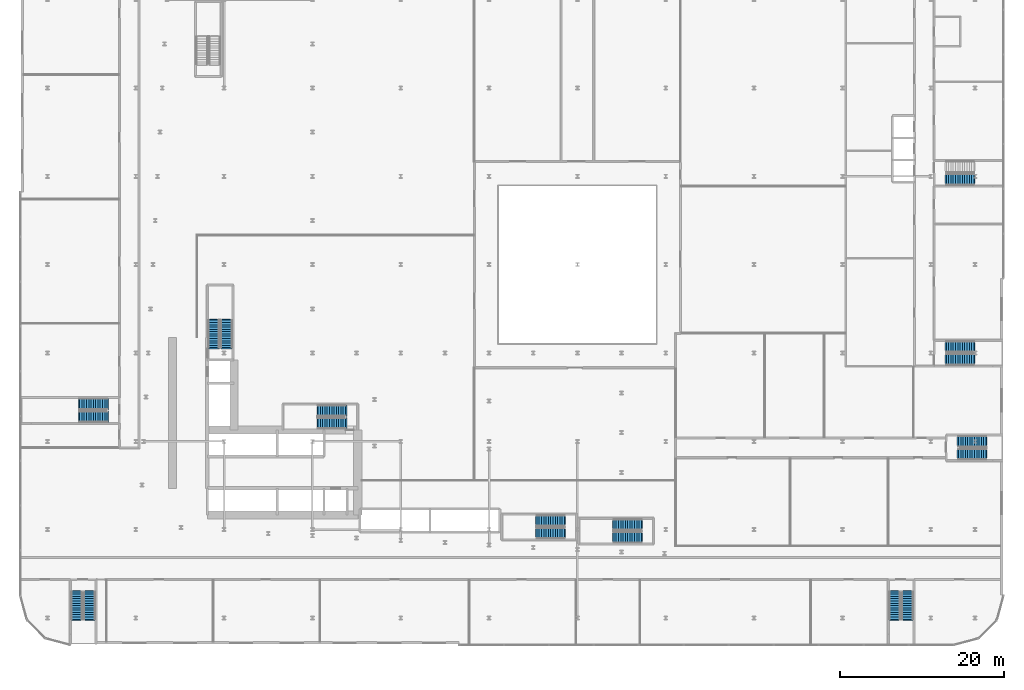
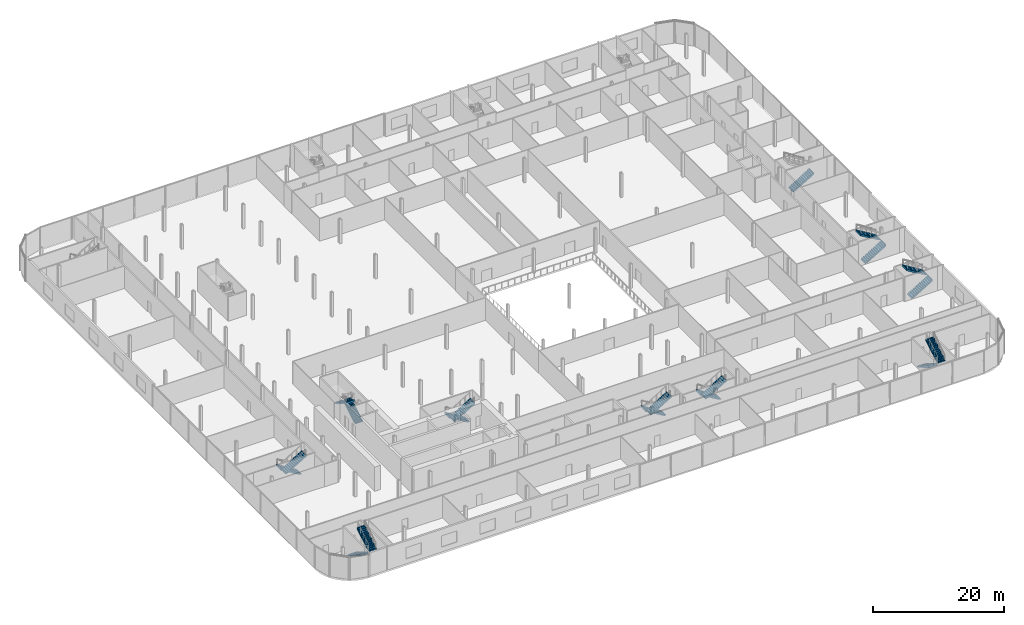
# One storey, part 37 of 47: 19 stair flights, 10 elements without a shape of their own.
"""IFC4 building model written with IfcOpenShell, lengths in metres."""

from ifc_helpers import new_model, si_unit, direction, frame, origin, place, context, subcontext, project, spatial, polyline, outline, extrude, material, layer, layer_set, type_object, element, aggregate, save


model = new_model("IFC4")

# Units and contexts
model_context = context("Model", 3, precision=1e-05, world=origin(), true_north=direction((0.0, 1.0)))
body_context = subcontext(model_context, "Body", "Model", "MODEL_VIEW")
ifc_project = project(units=[si_unit("LENGTHUNIT", "METRE"), si_unit("AREAUNIT", "SQUARE_METRE"), si_unit("VOLUMEUNIT", "CUBIC_METRE"), si_unit("PLANEANGLEUNIT", "RADIAN"), si_unit("MASSUNIT", "GRAM", prefix="KILO")], contexts=[model_context])

# Site, building, storey
site_placement = place(None, origin())
site = spatial("IfcSite", under=ifc_project, at=site_placement, CompositionType="ELEMENT")
building_placement = place(site_placement, origin())
building = spatial("IfcBuilding", under=site, at=building_placement, Name="Kheshtan School and Residences Tower", CompositionType="ELEMENT")
storey_placement = place(building_placement, frame((0.0, 0.0, 12.5)))
storey = spatial("IfcBuildingStorey", under=building, at=storey_placement, Name="L02", CompositionType="ELEMENT", Elevation=12.5)

# Stair, stair flights
ifc_material = material(Name="Concrete C40/50", Category="concrete")
stair_type = type_object("IfcStairType", Name="Exit stair, half-turn", PredefinedType="HALF_TURN_STAIR", material=ifc_material)
stair_1_placement = place(storey_placement, origin())
stair_1 = element("IfcStair", 1, at=stair_1_placement, inside=storey, type_object=stair_type, Name="L02 Protected Exit Stair ST1", PredefinedType="HALF_TURN_STAIR")
ifc_layer = layer(ifc_material, 0.14990234375)
ifc_layer_set = layer_set([ifc_layer], Name="Stair flight 1400 Concrete C40/50")
stair_flight_type = type_object("IfcStairFlightType", Name="Stair flight 1400 Concrete C40/50", PredefinedType="STRAIGHT", material=ifc_layer_set)
stair_flight_1_placement = place(storey_placement, frame((51.64990234375, 38.550048828125, 0.0), z_axis=(0.0, 0.0, 1.0), x_axis=(-1.0, 0.0, 0.0)))
stair_flight_1 = element("IfcStairFlight", 2, at=stair_flight_1_placement, type_object=stair_flight_type, Name="ST1 flight 1", NumberOfRisers=13, NumberOfTreads=12, PredefinedType="STRAIGHT", RiserHeight=0.173076923, TreadLength=0.28, context=body_context, shape_type="SweptSolid", body=[
    extrude(outline(polyline([(-0.14990234375, -0.10009765625), (-0.14990234375, 0.0), (0.0, 0.0), (0.0, 0.173095703125), (0.280029296875, 0.173095703125), (0.280029296875, 0.34619140625), (0.56005859375, 0.34619140625), (0.56005859375, 0.519287109375), (0.840087890625, 0.519287109375), (0.840087890625, 0.6923828125), (1.1201171875, 0.6923828125), (1.1201171875, 0.865478515625), (1.39990234375, 0.865478515625), (1.39990234375, 1.03857421875), (1.679931640625, 1.03857421875), (1.679931640625, 1.21142578125), (1.9599609375, 1.21142578125), (1.9599609375, 1.384521484375), (2.239990234375, 1.384521484375), (2.239990234375, 1.5576171875), (2.52001953125, 1.5576171875), (2.52001953125, 1.730712890625), (2.800048828125, 1.730712890625), (2.800048828125, 1.90380859375), (3.080078125, 1.90380859375), (3.080078125, 2.076904296875), (3.360107421875, 2.076904296875), (3.360107421875, 2.25), (3.360107421875, 2.27001953125), (3.510009765625, 2.27001953125), (3.510009765625, 1.900634765625), (0.28515625, 0.0), (-0.14990234375, -0.10009765625)])), frame((0.0, 0.699951171875, 0.0), z_axis=(0.0, -1.0, 0.0), x_axis=(1.0, 0.0, 0.0)), (0.0, 0.0, 1.0), 1.39990234375),
])
stair_flight_2_placement = place(storey_placement, frame((48.2900390625, 37.0, 2.25), z_axis=(0.0, 0.0, 1.0), x_axis=(1.0, 0.0, 0.0)))
stair_flight_2 = element("IfcStairFlight", 3, at=stair_flight_2_placement, type_object=stair_flight_type, Name="ST1 flight 2", NumberOfRisers=13, NumberOfTreads=12, PredefinedType="STRAIGHT", RiserHeight=0.173076923, TreadLength=0.28, context=body_context, shape_type="SweptSolid", body=[
    extrude(outline(polyline([(-0.14990234375, -0.10009765625), (-0.14990234375, 0.0), (0.0, 0.0), (0.0, 0.173095703125), (0.280029296875, 0.173095703125), (0.280029296875, 0.34619140625), (0.56005859375, 0.34619140625), (0.56005859375, 0.519287109375), (0.840087890625, 0.519287109375), (0.840087890625, 0.6923828125), (1.1201171875, 0.6923828125), (1.1201171875, 0.865478515625), (1.39990234375, 0.865478515625), (1.39990234375, 1.03857421875), (1.679931640625, 1.03857421875), (1.679931640625, 1.21142578125), (1.9599609375, 1.21142578125), (1.9599609375, 1.384521484375), (2.239990234375, 1.384521484375), (2.239990234375, 1.5576171875), (2.52001953125, 1.5576171875), (2.52001953125, 1.730712890625), (2.800048828125, 1.730712890625), (2.800048828125, 1.90380859375), (3.080078125, 1.90380859375), (3.080078125, 2.076904296875), (3.360107421875, 2.076904296875), (3.360107421875, 2.25), (3.360107421875, 2.27001953125), (3.510009765625, 2.27001953125), (3.510009765625, 1.900634765625), (0.28515625, 0.0), (-0.14990234375, -0.10009765625)])), frame((0.0, 0.699951171875, 0.0), z_axis=(0.0, -1.0, 0.0), x_axis=(1.0, 0.0, 0.0)), (0.0, 0.0, 1.0), 1.39990234375),
])
aggregate(stair_1, [stair_flight_1, stair_flight_2])

stair_2_placement = place(storey_placement, origin())
stair_2 = element("IfcStair", 4, at=stair_2_placement, inside=storey, type_object=stair_type, Name="L02 Protected Exit Stair ST2", PredefinedType="HALF_TURN_STAIR")
stair_flight_3_placement = place(storey_placement, frame((37.10009765625, 46.25, 0.0), z_axis=(0.0, 0.0, 1.0), x_axis=(0.0, 1.0, 0.0)))
stair_flight_3 = element("IfcStairFlight", 5, at=stair_flight_3_placement, type_object=stair_flight_type, Name="ST2 flight 1", NumberOfRisers=13, NumberOfTreads=12, PredefinedType="STRAIGHT", RiserHeight=0.173076923, TreadLength=0.28, context=body_context, shape_type="SweptSolid", body=[
    extrude(outline(polyline([(-0.14990234375, -0.10009765625), (-0.14990234375, 0.0), (0.0, 0.0), (0.0, 0.173095703125), (0.280029296875, 0.173095703125), (0.280029296875, 0.34619140625), (0.56005859375, 0.34619140625), (0.56005859375, 0.519287109375), (0.840087890625, 0.519287109375), (0.840087890625, 0.6923828125), (1.1201171875, 0.6923828125), (1.1201171875, 0.865478515625), (1.39990234375, 0.865478515625), (1.39990234375, 1.03857421875), (1.679931640625, 1.03857421875), (1.679931640625, 1.21142578125), (1.9599609375, 1.21142578125), (1.9599609375, 1.384521484375), (2.239990234375, 1.384521484375), (2.239990234375, 1.5576171875), (2.52001953125, 1.5576171875), (2.52001953125, 1.730712890625), (2.800048828125, 1.730712890625), (2.800048828125, 1.90380859375), (3.080078125, 1.90380859375), (3.080078125, 2.076904296875), (3.360107421875, 2.076904296875), (3.360107421875, 2.25), (3.360107421875, 2.27001953125), (3.510009765625, 2.27001953125), (3.510009765625, 1.900634765625), (0.28515625, 0.0), (-0.14990234375, -0.10009765625)])), frame((0.0, 0.699951171875, 0.0), z_axis=(0.0, -1.0, 0.0), x_axis=(1.0, 0.0, 0.0)), (0.0, 0.0, 1.0), 1.39990234375),
])
stair_flight_4_placement = place(storey_placement, frame((35.550048828125, 49.610107421875, 2.25), z_axis=(0.0, 0.0, 1.0), x_axis=(0.0, -1.0, 0.0)))
stair_flight_4 = element("IfcStairFlight", 6, at=stair_flight_4_placement, type_object=stair_flight_type, Name="ST2 flight 2", NumberOfRisers=13, NumberOfTreads=12, PredefinedType="STRAIGHT", RiserHeight=0.173076923, TreadLength=0.28, context=body_context, shape_type="SweptSolid", body=[
    extrude(outline(polyline([(-0.14990234375, -0.10009765625), (-0.14990234375, 0.0), (0.0, 0.0), (0.0, 0.173095703125), (0.280029296875, 0.173095703125), (0.280029296875, 0.34619140625), (0.56005859375, 0.34619140625), (0.56005859375, 0.519287109375), (0.840087890625, 0.519287109375), (0.840087890625, 0.6923828125), (1.1201171875, 0.6923828125), (1.1201171875, 0.865478515625), (1.39990234375, 0.865478515625), (1.39990234375, 1.03857421875), (1.679931640625, 1.03857421875), (1.679931640625, 1.21142578125), (1.9599609375, 1.21142578125), (1.9599609375, 1.384521484375), (2.239990234375, 1.384521484375), (2.239990234375, 1.5576171875), (2.52001953125, 1.5576171875), (2.52001953125, 1.730712890625), (2.800048828125, 1.730712890625), (2.800048828125, 1.90380859375), (3.080078125, 1.90380859375), (3.080078125, 2.076904296875), (3.360107421875, 2.076904296875), (3.360107421875, 2.25), (3.360107421875, 2.27001953125), (3.510009765625, 2.27001953125), (3.510009765625, 1.900634765625), (0.28515625, 0.0), (-0.14990234375, -0.10009765625)])), frame((0.0, 0.699951171875, 0.0), z_axis=(0.0, -1.0, 0.0), x_axis=(1.0, 0.0, 0.0)), (0.0, 0.0, 1.0), 1.39990234375),
])
aggregate(stair_2, [stair_flight_3, stair_flight_4])

stair_3_placement = place(storey_placement, origin())
stair_3 = element("IfcStair", 7, at=stair_3_placement, inside=storey, type_object=stair_type, Name="L02 Protected Exit Stair ST4", PredefinedType="HALF_TURN_STAIR")
stair_flight_5_placement = place(storey_placement, frame((87.820068359375, 24.60009765625, 0.0), z_axis=(0.0, 0.0, 1.0), x_axis=(-1.0, 0.0, 0.0)))
stair_flight_5 = element("IfcStairFlight", 8, at=stair_flight_5_placement, type_object=stair_flight_type, Name="ST4 flight 1", NumberOfRisers=13, NumberOfTreads=12, PredefinedType="STRAIGHT", RiserHeight=0.173076923, TreadLength=0.28, context=body_context, shape_type="SweptSolid", body=[
    extrude(outline(polyline([(-0.14990234375, -0.10009765625), (-0.14990234375, 0.0), (0.0, 0.0), (0.0, 0.173095703125), (0.280029296875, 0.173095703125), (0.280029296875, 0.34619140625), (0.56005859375, 0.34619140625), (0.56005859375, 0.519287109375), (0.840087890625, 0.519287109375), (0.840087890625, 0.6923828125), (1.1201171875, 0.6923828125), (1.1201171875, 0.865478515625), (1.39990234375, 0.865478515625), (1.39990234375, 1.03857421875), (1.679931640625, 1.03857421875), (1.679931640625, 1.21142578125), (1.9599609375, 1.21142578125), (1.9599609375, 1.384521484375), (2.239990234375, 1.384521484375), (2.239990234375, 1.5576171875), (2.52001953125, 1.5576171875), (2.52001953125, 1.730712890625), (2.800048828125, 1.730712890625), (2.800048828125, 1.90380859375), (3.080078125, 1.90380859375), (3.080078125, 2.076904296875), (3.360107421875, 2.076904296875), (3.360107421875, 2.25), (3.360107421875, 2.27001953125), (3.510009765625, 2.27001953125), (3.510009765625, 1.900634765625), (0.28515625, 0.0), (-0.14990234375, -0.10009765625)])), frame((0.0, 0.699951171875, 0.0), z_axis=(0.0, -1.0, 0.0), x_axis=(1.0, 0.0, 0.0)), (0.0, 0.0, 1.0), 1.39990234375),
])
stair_flight_6_placement = place(storey_placement, frame((84.4599609375, 23.050048828125, 2.25), z_axis=(0.0, 0.0, 1.0), x_axis=(1.0, 0.0, 0.0)))
stair_flight_6 = element("IfcStairFlight", 9, at=stair_flight_6_placement, type_object=stair_flight_type, Name="ST4 flight 2", NumberOfRisers=13, NumberOfTreads=12, PredefinedType="STRAIGHT", RiserHeight=0.173076923, TreadLength=0.28, context=body_context, shape_type="SweptSolid", body=[
    extrude(outline(polyline([(-0.14990234375, -0.10009765625), (-0.14990234375, 0.0), (0.0, 0.0), (0.0, 0.173095703125), (0.280029296875, 0.173095703125), (0.280029296875, 0.34619140625), (0.56005859375, 0.34619140625), (0.56005859375, 0.519287109375), (0.840087890625, 0.519287109375), (0.840087890625, 0.6923828125), (1.1201171875, 0.6923828125), (1.1201171875, 0.865478515625), (1.39990234375, 0.865478515625), (1.39990234375, 1.03857421875), (1.679931640625, 1.03857421875), (1.679931640625, 1.21142578125), (1.9599609375, 1.21142578125), (1.9599609375, 1.384521484375), (2.239990234375, 1.384521484375), (2.239990234375, 1.5576171875), (2.52001953125, 1.5576171875), (2.52001953125, 1.730712890625), (2.800048828125, 1.730712890625), (2.800048828125, 1.90380859375), (3.080078125, 1.90380859375), (3.080078125, 2.076904296875), (3.360107421875, 2.076904296875), (3.360107421875, 2.25), (3.360107421875, 2.27001953125), (3.510009765625, 2.27001953125), (3.510009765625, 1.900634765625), (0.28515625, 0.0), (-0.14990234375, -0.10009765625)])), frame((0.0, 0.699951171875, 0.0), z_axis=(0.0, -1.0, 0.0), x_axis=(1.0, 0.0, 0.0)), (0.0, 0.0, 1.0), 1.39990234375),
])
aggregate(stair_3, [stair_flight_5, stair_flight_6])

stair_4_placement = place(storey_placement, origin())
stair_4 = element("IfcStair", 10, at=stair_4_placement, inside=storey, type_object=stair_type, Name="L02 Protected Exit Stair ST5", PredefinedType="HALF_TURN_STAIR")
stair_flight_7_placement = place(storey_placement, frame((78.409912109375, 25.10009765625, 0.0), z_axis=(0.0, 0.0, 1.0), x_axis=(-1.0, 0.0, 0.0)))
stair_flight_7 = element("IfcStairFlight", 11, at=stair_flight_7_placement, type_object=stair_flight_type, Name="ST5 flight 1", NumberOfRisers=13, NumberOfTreads=12, PredefinedType="STRAIGHT", RiserHeight=0.173076923, TreadLength=0.28, context=body_context, shape_type="SweptSolid", body=[
    extrude(outline(polyline([(-0.14990234375, -0.10009765625), (-0.14990234375, 0.0), (0.0, 0.0), (0.0, 0.173095703125), (0.280029296875, 0.173095703125), (0.280029296875, 0.34619140625), (0.56005859375, 0.34619140625), (0.56005859375, 0.519287109375), (0.840087890625, 0.519287109375), (0.840087890625, 0.6923828125), (1.1201171875, 0.6923828125), (1.1201171875, 0.865478515625), (1.39990234375, 0.865478515625), (1.39990234375, 1.03857421875), (1.679931640625, 1.03857421875), (1.679931640625, 1.21142578125), (1.9599609375, 1.21142578125), (1.9599609375, 1.384521484375), (2.239990234375, 1.384521484375), (2.239990234375, 1.5576171875), (2.52001953125, 1.5576171875), (2.52001953125, 1.730712890625), (2.800048828125, 1.730712890625), (2.800048828125, 1.90380859375), (3.080078125, 1.90380859375), (3.080078125, 2.076904296875), (3.360107421875, 2.076904296875), (3.360107421875, 2.25), (3.360107421875, 2.27001953125), (3.510009765625, 2.27001953125), (3.510009765625, 1.900634765625), (0.28515625, 0.0), (-0.14990234375, -0.10009765625)])), frame((0.0, 0.699951171875, 0.0), z_axis=(0.0, -1.0, 0.0), x_axis=(1.0, 0.0, 0.0)), (0.0, 0.0, 1.0), 1.39990234375),
])
stair_flight_8_placement = place(storey_placement, frame((75.050048828125, 23.550048828125, 2.25), z_axis=(0.0, 0.0, 1.0), x_axis=(1.0, 0.0, 0.0)))
stair_flight_8 = element("IfcStairFlight", 12, at=stair_flight_8_placement, type_object=stair_flight_type, Name="ST5 flight 2", NumberOfRisers=13, NumberOfTreads=12, PredefinedType="STRAIGHT", RiserHeight=0.173076923, TreadLength=0.28, context=body_context, shape_type="SweptSolid", body=[
    extrude(outline(polyline([(-0.14990234375, -0.10009765625), (-0.14990234375, 0.0), (0.0, 0.0), (0.0, 0.173095703125), (0.280029296875, 0.173095703125), (0.280029296875, 0.34619140625), (0.56005859375, 0.34619140625), (0.56005859375, 0.519287109375), (0.840087890625, 0.519287109375), (0.840087890625, 0.6923828125), (1.1201171875, 0.6923828125), (1.1201171875, 0.865478515625), (1.39990234375, 0.865478515625), (1.39990234375, 1.03857421875), (1.679931640625, 1.03857421875), (1.679931640625, 1.21142578125), (1.9599609375, 1.21142578125), (1.9599609375, 1.384521484375), (2.239990234375, 1.384521484375), (2.239990234375, 1.5576171875), (2.52001953125, 1.5576171875), (2.52001953125, 1.730712890625), (2.800048828125, 1.730712890625), (2.800048828125, 1.90380859375), (3.080078125, 1.90380859375), (3.080078125, 2.076904296875), (3.360107421875, 2.076904296875), (3.360107421875, 2.25), (3.360107421875, 2.27001953125), (3.510009765625, 2.27001953125), (3.510009765625, 1.900634765625), (0.28515625, 0.0), (-0.14990234375, -0.10009765625)])), frame((0.0, 0.699951171875, 0.0), z_axis=(0.0, -1.0, 0.0), x_axis=(1.0, 0.0, 0.0)), (0.0, 0.0, 1.0), 1.39990234375),
])
aggregate(stair_4, [stair_flight_7, stair_flight_8])

stair_5_placement = place(storey_placement, origin())
stair_5 = element("IfcStair", 13, at=stair_5_placement, inside=storey, type_object=stair_type, Name="L02 Civic Exit Stair 012-037", PredefinedType="HALF_TURN_STAIR")
stair_flight_9_placement = place(storey_placement, frame((22.5, 39.35009765625, 0.0), z_axis=(0.0, 0.0, 1.0), x_axis=(-1.0, 0.0, 0.0)))
stair_flight_9 = element("IfcStairFlight", 14, at=stair_flight_9_placement, type_object=stair_flight_type, Name="PS-012-037 flight 1", NumberOfRisers=13, NumberOfTreads=12, PredefinedType="STRAIGHT", RiserHeight=0.173076923, TreadLength=0.28, context=body_context, shape_type="SweptSolid", body=[
    extrude(outline(polyline([(-0.14990234375, -0.10009765625), (-0.14990234375, 0.0), (0.0, 0.0), (0.0, 0.173095703125), (0.280029296875, 0.173095703125), (0.280029296875, 0.34619140625), (0.56005859375, 0.34619140625), (0.56005859375, 0.519287109375), (0.840087890625, 0.519287109375), (0.840087890625, 0.6923828125), (1.1201171875, 0.6923828125), (1.1201171875, 0.865478515625), (1.39990234375, 0.865478515625), (1.39990234375, 1.03857421875), (1.679931640625, 1.03857421875), (1.679931640625, 1.21142578125), (1.9599609375, 1.21142578125), (1.9599609375, 1.384521484375), (2.239990234375, 1.384521484375), (2.239990234375, 1.5576171875), (2.52001953125, 1.5576171875), (2.52001953125, 1.730712890625), (2.800048828125, 1.730712890625), (2.800048828125, 1.90380859375), (3.080078125, 1.90380859375), (3.080078125, 2.076904296875), (3.360107421875, 2.076904296875), (3.360107421875, 2.25), (3.360107421875, 2.27001953125), (3.510009765625, 2.27001953125), (3.510009765625, 1.900634765625), (0.28515625, 0.0), (-0.14990234375, -0.10009765625)])), frame((0.0, 0.699951171875, 0.0), z_axis=(0.0, -1.0, 0.0), x_axis=(1.0, 0.0, 0.0)), (0.0, 0.0, 1.0), 1.39990234375),
])
stair_flight_10_placement = place(storey_placement, frame((19.139892578125, 37.800048828125, 2.25), z_axis=(0.0, 0.0, 1.0), x_axis=(1.0, 0.0, 0.0)))
stair_flight_10 = element("IfcStairFlight", 15, at=stair_flight_10_placement, type_object=stair_flight_type, Name="PS-012-037 flight 2", NumberOfRisers=13, NumberOfTreads=12, PredefinedType="STRAIGHT", RiserHeight=0.173076923, TreadLength=0.28, context=body_context, shape_type="SweptSolid", body=[
    extrude(outline(polyline([(-0.14990234375, -0.10009765625), (-0.14990234375, 0.0), (0.0, 0.0), (0.0, 0.173095703125), (0.280029296875, 0.173095703125), (0.280029296875, 0.34619140625), (0.56005859375, 0.34619140625), (0.56005859375, 0.519287109375), (0.840087890625, 0.519287109375), (0.840087890625, 0.6923828125), (1.1201171875, 0.6923828125), (1.1201171875, 0.865478515625), (1.39990234375, 0.865478515625), (1.39990234375, 1.03857421875), (1.679931640625, 1.03857421875), (1.679931640625, 1.21142578125), (1.9599609375, 1.21142578125), (1.9599609375, 1.384521484375), (2.239990234375, 1.384521484375), (2.239990234375, 1.5576171875), (2.52001953125, 1.5576171875), (2.52001953125, 1.730712890625), (2.800048828125, 1.730712890625), (2.800048828125, 1.90380859375), (3.080078125, 1.90380859375), (3.080078125, 2.076904296875), (3.360107421875, 2.076904296875), (3.360107421875, 2.25), (3.360107421875, 2.27001953125), (3.510009765625, 2.27001953125), (3.510009765625, 1.900634765625), (0.28515625, 0.0), (-0.14990234375, -0.10009765625)])), frame((0.0, 0.699951171875, 0.0), z_axis=(0.0, -1.0, 0.0), x_axis=(1.0, 0.0, 0.0)), (0.0, 0.0, 1.0), 1.39990234375),
])
aggregate(stair_5, [stair_flight_9, stair_flight_10])

stair_6_placement = place(storey_placement, origin())
stair_6 = element("IfcStair", 16, at=stair_6_placement, inside=storey, type_object=stair_type, Name="L02 Civic Exit Stair 018-010", PredefinedType="HALF_TURN_STAIR")
stair_flight_11_placement = place(storey_placement, frame((18.800048828125, 16.39990234375, 0.0), z_axis=(0.0, 0.0, 1.0), x_axis=(0.0, -1.0, 0.0)))
stair_flight_11 = element("IfcStairFlight", 17, at=stair_flight_11_placement, type_object=stair_flight_type, Name="PS-018-010 flight 1", NumberOfRisers=13, NumberOfTreads=12, PredefinedType="STRAIGHT", RiserHeight=0.173076923, TreadLength=0.28, context=body_context, shape_type="SweptSolid", body=[
    extrude(outline(polyline([(-0.14990234375, -0.10009765625), (-0.14990234375, 0.0), (0.0, 0.0), (0.0, 0.173095703125), (0.280029296875, 0.173095703125), (0.280029296875, 0.34619140625), (0.56005859375, 0.34619140625), (0.56005859375, 0.519287109375), (0.840087890625, 0.519287109375), (0.840087890625, 0.6923828125), (1.1201171875, 0.6923828125), (1.1201171875, 0.865478515625), (1.39990234375, 0.865478515625), (1.39990234375, 1.03857421875), (1.679931640625, 1.03857421875), (1.679931640625, 1.21142578125), (1.9599609375, 1.21142578125), (1.9599609375, 1.384521484375), (2.239990234375, 1.384521484375), (2.239990234375, 1.5576171875), (2.52001953125, 1.5576171875), (2.52001953125, 1.730712890625), (2.800048828125, 1.730712890625), (2.800048828125, 1.90380859375), (3.080078125, 1.90380859375), (3.080078125, 2.076904296875), (3.360107421875, 2.076904296875), (3.360107421875, 2.25), (3.360107421875, 2.27001953125), (3.510009765625, 2.27001953125), (3.510009765625, 1.900634765625), (0.28515625, 0.0), (-0.14990234375, -0.10009765625)])), frame((0.0, 0.699951171875, 0.0), z_axis=(0.0, -1.0, 0.0), x_axis=(1.0, 0.0, 0.0)), (0.0, 0.0, 1.0), 1.39990234375),
])
stair_flight_12_placement = place(storey_placement, frame((20.35009765625, 13.0400390625, 2.25), z_axis=(0.0, 0.0, 1.0), x_axis=(0.0, 1.0, 0.0)))
stair_flight_12 = element("IfcStairFlight", 18, at=stair_flight_12_placement, type_object=stair_flight_type, Name="PS-018-010 flight 2", NumberOfRisers=13, NumberOfTreads=12, PredefinedType="STRAIGHT", RiserHeight=0.173076923, TreadLength=0.28, context=body_context, shape_type="SweptSolid", body=[
    extrude(outline(polyline([(-0.14990234375, -0.10009765625), (-0.14990234375, 0.0), (0.0, 0.0), (0.0, 0.173095703125), (0.280029296875, 0.173095703125), (0.280029296875, 0.34619140625), (0.56005859375, 0.34619140625), (0.56005859375, 0.519287109375), (0.840087890625, 0.519287109375), (0.840087890625, 0.6923828125), (1.1201171875, 0.6923828125), (1.1201171875, 0.865478515625), (1.39990234375, 0.865478515625), (1.39990234375, 1.03857421875), (1.679931640625, 1.03857421875), (1.679931640625, 1.21142578125), (1.9599609375, 1.21142578125), (1.9599609375, 1.384521484375), (2.239990234375, 1.384521484375), (2.239990234375, 1.5576171875), (2.52001953125, 1.5576171875), (2.52001953125, 1.730712890625), (2.800048828125, 1.730712890625), (2.800048828125, 1.90380859375), (3.080078125, 1.90380859375), (3.080078125, 2.076904296875), (3.360107421875, 2.076904296875), (3.360107421875, 2.25), (3.360107421875, 2.27001953125), (3.510009765625, 2.27001953125), (3.510009765625, 1.900634765625), (0.28515625, 0.0), (-0.14990234375, -0.10009765625)])), frame((0.0, 0.699951171875, 0.0), z_axis=(0.0, -1.0, 0.0), x_axis=(1.0, 0.0, 0.0)), (0.0, 0.0, 1.0), 1.39990234375),
])
aggregate(stair_6, [stair_flight_11, stair_flight_12])

stair_7_placement = place(storey_placement, origin())
stair_7 = element("IfcStair", 19, at=stair_7_placement, inside=storey, type_object=stair_type, Name="L02 Civic Exit Stair 118-010", PredefinedType="HALF_TURN_STAIR")
stair_flight_13_placement = place(storey_placement, frame((118.800048828125, 16.39990234375, 0.0), z_axis=(0.0, 0.0, 1.0), x_axis=(0.0, -1.0, 0.0)))
stair_flight_13 = element("IfcStairFlight", 20, at=stair_flight_13_placement, type_object=stair_flight_type, Name="PS-118-010 flight 1", NumberOfRisers=13, NumberOfTreads=12, PredefinedType="STRAIGHT", RiserHeight=0.173076923, TreadLength=0.28, context=body_context, shape_type="SweptSolid", body=[
    extrude(outline(polyline([(-0.14990234375, -0.10009765625), (-0.14990234375, 0.0), (0.0, 0.0), (0.0, 0.173095703125), (0.280029296875, 0.173095703125), (0.280029296875, 0.34619140625), (0.56005859375, 0.34619140625), (0.56005859375, 0.519287109375), (0.840087890625, 0.519287109375), (0.840087890625, 0.6923828125), (1.1201171875, 0.6923828125), (1.1201171875, 0.865478515625), (1.39990234375, 0.865478515625), (1.39990234375, 1.03857421875), (1.679931640625, 1.03857421875), (1.679931640625, 1.21142578125), (1.9599609375, 1.21142578125), (1.9599609375, 1.384521484375), (2.239990234375, 1.384521484375), (2.239990234375, 1.5576171875), (2.52001953125, 1.5576171875), (2.52001953125, 1.730712890625), (2.800048828125, 1.730712890625), (2.800048828125, 1.90380859375), (3.080078125, 1.90380859375), (3.080078125, 2.076904296875), (3.360107421875, 2.076904296875), (3.360107421875, 2.25), (3.360107421875, 2.27001953125), (3.510009765625, 2.27001953125), (3.510009765625, 1.900634765625), (0.28515625, 0.0), (-0.14990234375, -0.10009765625)])), frame((0.0, 0.699951171875, 0.0), z_axis=(0.0, -1.0, 0.0), x_axis=(1.0, 0.0, 0.0)), (0.0, 0.0, 1.0), 1.39990234375),
])
stair_flight_14_placement = place(storey_placement, frame((120.35009765625, 13.0400390625, 2.25), z_axis=(0.0, 0.0, 1.0), x_axis=(0.0, 1.0, 0.0)))
stair_flight_14 = element("IfcStairFlight", 21, at=stair_flight_14_placement, type_object=stair_flight_type, Name="PS-118-010 flight 2", NumberOfRisers=13, NumberOfTreads=12, PredefinedType="STRAIGHT", RiserHeight=0.173076923, TreadLength=0.28, context=body_context, shape_type="SweptSolid", body=[
    extrude(outline(polyline([(-0.14990234375, -0.10009765625), (-0.14990234375, 0.0), (0.0, 0.0), (0.0, 0.173095703125), (0.280029296875, 0.173095703125), (0.280029296875, 0.34619140625), (0.56005859375, 0.34619140625), (0.56005859375, 0.519287109375), (0.840087890625, 0.519287109375), (0.840087890625, 0.6923828125), (1.1201171875, 0.6923828125), (1.1201171875, 0.865478515625), (1.39990234375, 0.865478515625), (1.39990234375, 1.03857421875), (1.679931640625, 1.03857421875), (1.679931640625, 1.21142578125), (1.9599609375, 1.21142578125), (1.9599609375, 1.384521484375), (2.239990234375, 1.384521484375), (2.239990234375, 1.5576171875), (2.52001953125, 1.5576171875), (2.52001953125, 1.730712890625), (2.800048828125, 1.730712890625), (2.800048828125, 1.90380859375), (3.080078125, 1.90380859375), (3.080078125, 2.076904296875), (3.360107421875, 2.076904296875), (3.360107421875, 2.25), (3.360107421875, 2.27001953125), (3.510009765625, 2.27001953125), (3.510009765625, 1.900634765625), (0.28515625, 0.0), (-0.14990234375, -0.10009765625)])), frame((0.0, 0.699951171875, 0.0), z_axis=(0.0, -1.0, 0.0), x_axis=(1.0, 0.0, 0.0)), (0.0, 0.0, 1.0), 1.39990234375),
])
aggregate(stair_7, [stair_flight_13, stair_flight_14])

stair_8_placement = place(storey_placement, origin())
stair_8 = element("IfcStair", 22, at=stair_8_placement, inside=storey, type_object=stair_type, Name="L02 School Exit Stair 124-044", PredefinedType="HALF_TURN_STAIR")
stair_flight_15_placement = place(storey_placement, frame((125.10009765625, 44.800048828125, 0.0), z_axis=(0.0, 0.0, 1.0), x_axis=(1.0, 0.0, 0.0)))
stair_flight_15 = element("IfcStairFlight", 23, at=stair_flight_15_placement, type_object=stair_flight_type, Name="PS-124-044 flight 1", NumberOfRisers=13, NumberOfTreads=12, PredefinedType="STRAIGHT", RiserHeight=0.173076923, TreadLength=0.28, context=body_context, shape_type="SweptSolid", body=[
    extrude(outline(polyline([(-0.14990234375, -0.10009765625), (-0.14990234375, 0.0), (0.0, 0.0), (0.0, 0.173095703125), (0.280029296875, 0.173095703125), (0.280029296875, 0.34619140625), (0.56005859375, 0.34619140625), (0.56005859375, 0.519287109375), (0.840087890625, 0.519287109375), (0.840087890625, 0.6923828125), (1.1201171875, 0.6923828125), (1.1201171875, 0.865478515625), (1.39990234375, 0.865478515625), (1.39990234375, 1.03857421875), (1.679931640625, 1.03857421875), (1.679931640625, 1.21142578125), (1.9599609375, 1.21142578125), (1.9599609375, 1.384521484375), (2.239990234375, 1.384521484375), (2.239990234375, 1.5576171875), (2.52001953125, 1.5576171875), (2.52001953125, 1.730712890625), (2.800048828125, 1.730712890625), (2.800048828125, 1.90380859375), (3.080078125, 1.90380859375), (3.080078125, 2.076904296875), (3.360107421875, 2.076904296875), (3.360107421875, 2.25), (3.360107421875, 2.27001953125), (3.510009765625, 2.27001953125), (3.510009765625, 1.900634765625), (0.28515625, 0.0), (-0.14990234375, -0.10009765625)])), frame((0.0, 0.699951171875, 0.0), z_axis=(0.0, -1.0, 0.0), x_axis=(1.0, 0.0, 0.0)), (0.0, 0.0, 1.0), 1.39990234375),
])
stair_flight_16_placement = place(storey_placement, frame((128.4599609375, 46.35009765625, 2.25), z_axis=(0.0, 0.0, 1.0), x_axis=(-1.0, 0.0, 0.0)))
stair_flight_16 = element("IfcStairFlight", 24, at=stair_flight_16_placement, type_object=stair_flight_type, Name="PS-124-044 flight 2", NumberOfRisers=13, NumberOfTreads=12, PredefinedType="STRAIGHT", RiserHeight=0.173076923, TreadLength=0.28, context=body_context, shape_type="SweptSolid", body=[
    extrude(outline(polyline([(-0.14990234375, -0.10009765625), (-0.14990234375, 0.0), (0.0, 0.0), (0.0, 0.173095703125), (0.280029296875, 0.173095703125), (0.280029296875, 0.34619140625), (0.56005859375, 0.34619140625), (0.56005859375, 0.519287109375), (0.840087890625, 0.519287109375), (0.840087890625, 0.6923828125), (1.1201171875, 0.6923828125), (1.1201171875, 0.865478515625), (1.39990234375, 0.865478515625), (1.39990234375, 1.03857421875), (1.679931640625, 1.03857421875), (1.679931640625, 1.21142578125), (1.9599609375, 1.21142578125), (1.9599609375, 1.384521484375), (2.239990234375, 1.384521484375), (2.239990234375, 1.5576171875), (2.52001953125, 1.5576171875), (2.52001953125, 1.730712890625), (2.800048828125, 1.730712890625), (2.800048828125, 1.90380859375), (3.080078125, 1.90380859375), (3.080078125, 2.076904296875), (3.360107421875, 2.076904296875), (3.360107421875, 2.25), (3.360107421875, 2.27001953125), (3.510009765625, 2.27001953125), (3.510009765625, 1.900634765625), (0.28515625, 0.0), (-0.14990234375, -0.10009765625)])), frame((0.0, 0.699951171875, 0.0), z_axis=(0.0, -1.0, 0.0), x_axis=(1.0, 0.0, 0.0)), (0.0, 0.0, 1.0), 1.39990234375),
])
aggregate(stair_8, [stair_flight_15, stair_flight_16])

# Stair, stair flight
stair_9_placement = place(storey_placement, origin())
stair_9 = element("IfcStair", 25, at=stair_9_placement, inside=storey, type_object=stair_type, Name="L02 School Exit Stair 124-066", PredefinedType="HALF_TURN_STAIR")
stair_flight_17_placement = place(storey_placement, frame((125.10009765625, 66.800048828125, 0.0), z_axis=(0.0, 0.0, 1.0), x_axis=(1.0, 0.0, 0.0)))
stair_flight_17 = element("IfcStairFlight", 26, at=stair_flight_17_placement, type_object=stair_flight_type, Name="PS-124-066 flight 1", NumberOfRisers=13, NumberOfTreads=12, PredefinedType="STRAIGHT", RiserHeight=0.173076923, TreadLength=0.28, context=body_context, shape_type="SweptSolid", body=[
    extrude(outline(polyline([(-0.14990234375, -0.10009765625), (-0.14990234375, 0.0), (0.0, 0.0), (0.0, 0.173095703125), (0.280029296875, 0.173095703125), (0.280029296875, 0.34619140625), (0.56005859375, 0.34619140625), (0.56005859375, 0.519287109375), (0.840087890625, 0.519287109375), (0.840087890625, 0.6923828125), (1.1201171875, 0.6923828125), (1.1201171875, 0.865478515625), (1.39990234375, 0.865478515625), (1.39990234375, 1.03857421875), (1.679931640625, 1.03857421875), (1.679931640625, 1.21142578125), (1.9599609375, 1.21142578125), (1.9599609375, 1.384521484375), (2.239990234375, 1.384521484375), (2.239990234375, 1.5576171875), (2.52001953125, 1.5576171875), (2.52001953125, 1.730712890625), (2.800048828125, 1.730712890625), (2.800048828125, 1.90380859375), (3.080078125, 1.90380859375), (3.080078125, 2.076904296875), (3.360107421875, 2.076904296875), (3.360107421875, 2.25), (3.360107421875, 2.27001953125), (3.510009765625, 2.27001953125), (3.510009765625, 1.900634765625), (0.28515625, 0.0), (-0.14990234375, -0.10009765625)])), frame((0.0, 0.699951171875, 0.0), z_axis=(0.0, -1.0, 0.0), x_axis=(1.0, 0.0, 0.0)), (0.0, 0.0, 1.0), 1.39990234375),
])
aggregate(stair_9, [stair_flight_17])

# Stair, stair flights
stair_10_placement = place(storey_placement, origin())
stair_10 = element("IfcStair", 27, at=stair_10_placement, inside=storey, type_object=stair_type, Name="L02 Civic Exit Stair 125-032", PredefinedType="HALF_TURN_STAIR")
stair_flight_18_placement = place(storey_placement, frame((126.580078125, 33.22509765625, 0.0), z_axis=(0.0, 0.0, 1.0), x_axis=(1.0, 0.0, 0.0)))
stair_flight_18 = element("IfcStairFlight", 28, at=stair_flight_18_placement, type_object=stair_flight_type, Name="PS-125-032 flight 1", NumberOfRisers=13, NumberOfTreads=12, PredefinedType="STRAIGHT", RiserHeight=0.173076923, TreadLength=0.28, context=body_context, shape_type="SweptSolid", body=[
    extrude(outline(polyline([(-0.14990234375, -0.10009765625), (-0.14990234375, 0.0), (0.0, 0.0), (0.0, 0.173095703125), (0.280029296875, 0.173095703125), (0.280029296875, 0.34619140625), (0.56005859375, 0.34619140625), (0.56005859375, 0.519287109375), (0.840087890625, 0.519287109375), (0.840087890625, 0.6923828125), (1.1201171875, 0.6923828125), (1.1201171875, 0.865478515625), (1.39990234375, 0.865478515625), (1.39990234375, 1.03857421875), (1.679931640625, 1.03857421875), (1.679931640625, 1.21142578125), (1.9599609375, 1.21142578125), (1.9599609375, 1.384521484375), (2.239990234375, 1.384521484375), (2.239990234375, 1.5576171875), (2.52001953125, 1.5576171875), (2.52001953125, 1.730712890625), (2.800048828125, 1.730712890625), (2.800048828125, 1.90380859375), (3.080078125, 1.90380859375), (3.080078125, 2.076904296875), (3.360107421875, 2.076904296875), (3.360107421875, 2.25), (3.360107421875, 2.27001953125), (3.510009765625, 2.27001953125), (3.510009765625, 1.900634765625), (0.28515625, 0.0), (-0.14990234375, -0.10009765625)])), frame((0.0, 0.699951171875, 0.0), z_axis=(0.0, -1.0, 0.0), x_axis=(1.0, 0.0, 0.0)), (0.0, 0.0, 1.0), 1.39990234375),
])
stair_flight_19_placement = place(storey_placement, frame((129.93994140625, 34.77490234375, 2.25), z_axis=(0.0, 0.0, 1.0), x_axis=(-1.0, 0.0, 0.0)))
stair_flight_19 = element("IfcStairFlight", 29, at=stair_flight_19_placement, type_object=stair_flight_type, Name="PS-125-032 flight 2", NumberOfRisers=13, NumberOfTreads=12, PredefinedType="STRAIGHT", RiserHeight=0.173076923, TreadLength=0.28, context=body_context, shape_type="SweptSolid", body=[
    extrude(outline(polyline([(-0.14990234375, -0.10009765625), (-0.14990234375, 0.0), (0.0, 0.0), (0.0, 0.173095703125), (0.280029296875, 0.173095703125), (0.280029296875, 0.34619140625), (0.56005859375, 0.34619140625), (0.56005859375, 0.519287109375), (0.840087890625, 0.519287109375), (0.840087890625, 0.6923828125), (1.1201171875, 0.6923828125), (1.1201171875, 0.865478515625), (1.39990234375, 0.865478515625), (1.39990234375, 1.03857421875), (1.679931640625, 1.03857421875), (1.679931640625, 1.21142578125), (1.9599609375, 1.21142578125), (1.9599609375, 1.384521484375), (2.239990234375, 1.384521484375), (2.239990234375, 1.5576171875), (2.52001953125, 1.5576171875), (2.52001953125, 1.730712890625), (2.800048828125, 1.730712890625), (2.800048828125, 1.90380859375), (3.080078125, 1.90380859375), (3.080078125, 2.076904296875), (3.360107421875, 2.076904296875), (3.360107421875, 2.25), (3.360107421875, 2.27001953125), (3.510009765625, 2.27001953125), (3.510009765625, 1.900634765625), (0.28515625, 0.0), (-0.14990234375, -0.10009765625)])), frame((0.0, 0.699951171875, 0.0), z_axis=(0.0, -1.0, 0.0), x_axis=(1.0, 0.0, 0.0)), (0.0, 0.0, 1.0), 1.39990234375),
])
aggregate(stair_10, [stair_flight_18, stair_flight_19])

save(model, "model.ifc")
